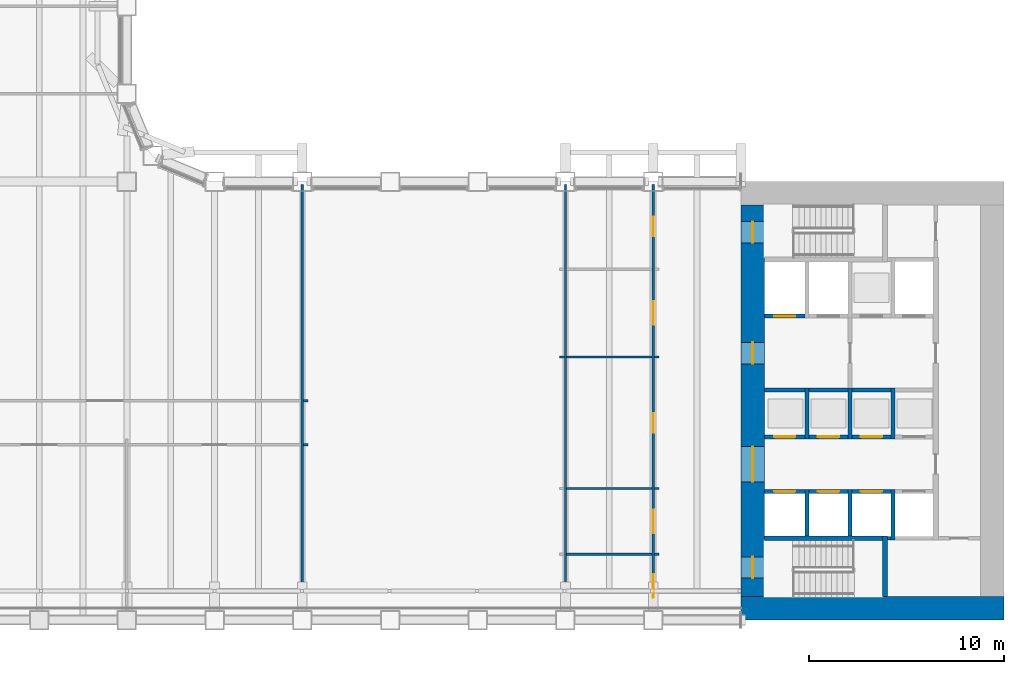
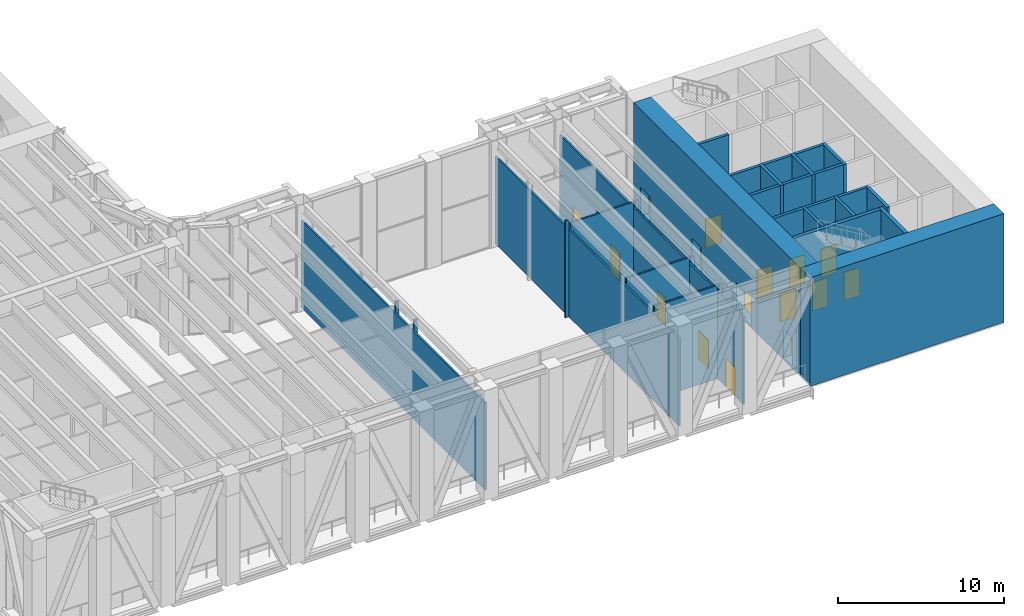
# One storey, part 10 of 21: 33 walls, 16 doors, 16 openings.
"""IFC4 building model written with IfcOpenShell, lengths in metres."""

import ifcopenshell
import ifcopenshell.guid

model = None  # the IFC model being written
_history = None  # IfcOwnerHistory: only IFC2X3 demands one
_inside = {}  # id of a spatial element -> (the spatial element, [elements in it])
_under = {}  # id of a project, library or spatial element -> (it, [spatial elements below it])
_declared = {}  # id of a project -> (the project, [libraries it declares])
_typed = {}  # id of a type object -> (the type object, [elements of that type])
_made_of = {}  # id of a material, layer set ... -> (it, [elements and type objects made of it])


def new_model(schema):
    """Start an empty IFC model of exactly this schema.

    Asked for "IFC4X3", IfcOpenShell would pick the latest addendum, in which some entities
    have other attributes; the version numbers below select the first issue.
    IFC2X3 requires an IfcOwnerHistory on every rooted entity: one is made here for all.
    """
    global model, _history
    if schema == "IFC4X3":
        model = ifcopenshell.file(schema_version=(4, 3, 0, 0))
    else:
        model = ifcopenshell.file(schema=schema)
    _inside.clear()
    _under.clear()
    _declared.clear()
    _typed.clear()
    _made_of.clear()
    _history = None
    if model.schema == "IFC2X3":
        org = make("IfcOrganization", Name="unknown")
        user = make(
            "IfcPersonAndOrganization",
            ThePerson=make("IfcPerson", FamilyName="unknown"),
            TheOrganization=org,
        )
        app = make(
            "IfcApplication",
            ApplicationDeveloper=org,
            Version="unknown",
            ApplicationFullName="unknown",
            ApplicationIdentifier="unknown",
        )
        _history = make(
            "IfcOwnerHistory",
            OwningUser=user,
            OwningApplication=app,
            ChangeAction="ADDED",
            CreationDate=0,
        )
    return model


def make(cls, **values):
    """One entity of the class cls with the attributes given. An attribute that is None is left unset."""
    return model.create_entity(
        cls, **{name: value for name, value in values.items() if value is not None}
    )


def rooted(cls, **values):
    """An entity with a GlobalId (a new one), such as an element, a storey or a relation."""
    return make(cls, GlobalId=ifcopenshell.guid.new(), OwnerHistory=_history, **values)


def si_unit(unit_type, name, prefix=None):
    """IfcSIUnit, for example si_unit("LENGTHUNIT", "METRE", prefix="MILLI")."""
    return make("IfcSIUnit", UnitType=unit_type, Prefix=prefix, Name=name)


def assignment(units):
    """IfcUnitAssignment: the units of a project."""
    return None if units is None else make("IfcUnitAssignment", Units=units)


def point(xyz):
    """IfcCartesianPoint."""
    return None if xyz is None else make("IfcCartesianPoint", Coordinates=xyz)


def direction(xyz):
    """IfcDirection."""
    return None if xyz is None else make("IfcDirection", DirectionRatios=xyz)


def frame(location, z_axis=None, x_axis=None):
    """IfcAxis2Placement3D, a coordinate frame: its origin and axes. An axis left out is left unset."""
    return make(
        "IfcAxis2Placement3D",
        Location=point(location),
        Axis=direction(z_axis),
        RefDirection=direction(x_axis),
    )


def frame_2d(location, x_axis=None):
    """IfcAxis2Placement2D, a coordinate frame in the plane: its origin and x axis."""
    return make(
        "IfcAxis2Placement2D", Location=point(location), RefDirection=direction(x_axis)
    )


def origin():
    """The frame at (0, 0, 0) with its axes left unset."""
    return frame((0.0, 0.0, 0.0))


def place(relative_to, where):
    """IfcLocalPlacement: puts the frame where relative to a parent placement (None: the world)."""
    return make(
        "IfcLocalPlacement", PlacementRelTo=relative_to, RelativePlacement=where
    )


def context(
    kind, dimensions, precision=None, world=None, true_north=None, identifier=None
):
    """IfcGeometricRepresentationContext, for example the 3D "Model" context."""
    return make(
        "IfcGeometricRepresentationContext",
        ContextIdentifier=identifier,
        ContextType=kind,
        CoordinateSpaceDimension=dimensions,
        Precision=precision,
        WorldCoordinateSystem=world,
        TrueNorth=true_north,
    )


def subcontext(parent, identifier, kind, view, scale=None):
    """IfcGeometricRepresentationSubContext, for example "Body" below "Model"."""
    return make(
        "IfcGeometricRepresentationSubContext",
        ContextIdentifier=identifier,
        ContextType=kind,
        ParentContext=parent,
        TargetScale=scale,
        TargetView=view,
    )


def project(units=None, contexts=None):
    """IfcProject with its units and contexts."""
    return rooted(
        "IfcProject",
        Name="project",
        RepresentationContexts=contexts,
        UnitsInContext=assignment(units),
    )


def spatial(cls, under=None, at=None, **own):
    """A site, building, storey or space (cls), placed at a placement, below another one or the project."""
    s = rooted(cls, ObjectPlacement=at, **own)
    if under is not None:
        _under.setdefault(under.id(), (under, []))[1].append(s)
    return s


def profile(cls, at=None, kind="AREA", **sizes):
    """A parametric profile (cls). Its sizes go by their IFC names, for example OverallWidth=200.0."""
    return make(cls, ProfileType=kind, Position=at, **sizes)


def rectangle(**sizes):
    """IfcRectangleProfileDef."""
    return profile("IfcRectangleProfileDef", **sizes)


def extrude(swept, where, along, depth):
    """IfcExtrudedAreaSolid: the profile swept, set in the frame where, extruded along a direction by depth."""
    return make(
        "IfcExtrudedAreaSolid",
        SweptArea=swept,
        Position=where,
        ExtrudedDirection=direction(along),
        Depth=depth,
    )


def shape(context_of_items, identifier, shape_type, items):
    """IfcShapeRepresentation: the items that make up one representation, for example the "Body"."""
    return make(
        "IfcShapeRepresentation",
        ContextOfItems=context_of_items,
        RepresentationIdentifier=identifier,
        RepresentationType=shape_type,
        Items=items,
    )


def material(Name=None, Category=None):
    """IfcMaterial."""
    return make("IfcMaterial", Name=Name, Category=Category)


def layer(
    of_material, thickness, ventilated=None, Name=None, Category=None, Priority=None
):
    """IfcMaterialLayer: one layer of a wall or slab, of a material (None: an air gap)."""
    return make(
        "IfcMaterialLayer",
        Material=of_material,
        LayerThickness=thickness,
        IsVentilated=ventilated,
        Name=Name,
        Category=Category,
        Priority=Priority,
    )


def layer_set(layers, Name=None):
    """IfcMaterialLayerSet."""
    return make("IfcMaterialLayerSet", MaterialLayers=layers, LayerSetName=Name)


def made_of(thing, what):
    """Note that an element or type object is made of a material, layer set ...; save() writes the relation."""
    if what is not None:
        _made_of.setdefault(what.id(), (what, []))[1].append(thing)
    return thing


def type_object(cls, material=None, **own):
    """A type object (cls), such as IfcWallType, which elements share."""
    return made_of(rooted(cls, **own), material)


def element(
    cls,
    number,
    at=None,
    inside=None,
    cuts=None,
    type_object=None,
    material=None,
    context=None,
    identifier="Body",
    shape_type=None,
    held_by="IfcProductDefinitionShape",
    body=None,
    shapes=None,
    **own,
):
    """One element of the class cls, such as IfcWall. Its Tag is "e" and its number.

    at: its placement. inside: the storey or other place that contains it. cuts: it is an
    opening in that element (IfcRelVoidsElement). A single representation is given by context,
    identifier, shape_type and body (its items); several are given by shapes. held_by: the class
    of the entity that holds the representations. save() writes the other relations.
    """
    e = rooted(cls, Tag="e%d" % number, ObjectPlacement=at, **own)
    if body is not None:
        shapes = [shape(context, identifier, shape_type, body)]
    if shapes is not None:
        e.Representation = make(held_by, Representations=shapes)
    if inside is not None:
        _inside.setdefault(inside.id(), (inside, []))[1].append(e)
    if cuts is not None:
        rooted(
            "IfcRelVoidsElement", RelatingBuildingElement=cuts, RelatedOpeningElement=e
        )
    if type_object is not None:
        _typed.setdefault(type_object.id(), (type_object, []))[1].append(e)
    return made_of(e, material)


def fill(opening, filler):
    """IfcRelFillsElement: the door or window that sits in an opening."""
    return rooted(
        "IfcRelFillsElement",
        RelatingOpeningElement=opening,
        RelatedBuildingElement=filler,
    )


def aggregate(whole, parts):
    """IfcRelAggregates: a whole, such as a stair, and the parts it consists of."""
    return rooted("IfcRelAggregates", RelatingObject=whole, RelatedObjects=parts)


def save(model, path):
    """Write the relations noted so far, then the file.

    IfcRelAggregates (storeys below a building ...), IfcRelContainedInSpatialStructure (elements
    in a storey), IfcRelDefinesByType, IfcRelAssociatesMaterial and IfcRelDeclares: one each for
    every whole, place, type object, material and project.
    """
    for whole, parts in _under.values():
        aggregate(whole, parts)
    for where, things in _inside.values():
        rooted(
            "IfcRelContainedInSpatialStructure",
            RelatedElements=things,
            RelatingStructure=where,
        )
    for kind, things in _typed.values():
        rooted("IfcRelDefinesByType", RelatedObjects=things, RelatingType=kind)
    for what, things in _made_of.values():
        rooted("IfcRelAssociatesMaterial", RelatedObjects=things, RelatingMaterial=what)
    for by, libraries in _declared.values():
        rooted("IfcRelDeclares", RelatingContext=by, RelatedDefinitions=libraries)
    model.write(path)


model = new_model("IFC4")

# Units and contexts
model_context = context("Model", 3, precision=1e-05, world=origin(), true_north=direction((0.0, 1.0)))
body_context = subcontext(model_context, "Body", "Model", "MODEL_VIEW")
ifc_project = project(units=[si_unit("LENGTHUNIT", "METRE"), si_unit("AREAUNIT", "SQUARE_METRE"), si_unit("VOLUMEUNIT", "CUBIC_METRE"), si_unit("PLANEANGLEUNIT", "RADIAN"), si_unit("MASSUNIT", "GRAM", prefix="KILO")], contexts=[model_context])

# Site, building, storey
site_placement = place(None, origin())
site = spatial("IfcSite", under=ifc_project, at=site_placement, CompositionType="ELEMENT")
building_placement = place(site_placement, origin())
building = spatial("IfcBuilding", under=site, at=building_placement, Name="Sennacour Bend Tower", CompositionType="ELEMENT")
storey_placement = place(building_placement, frame((0.0, 0.0, 131.0)))
storey = spatial("IfcBuildingStorey", under=building, at=storey_placement, Name="L30", CompositionType="ELEMENT", Elevation=131.0)

# Wall
ifc_material_1 = material(Name="Concrete C80/95", Category="concrete")
ifc_layer_1 = layer(ifc_material_1, 1.199951171875, Name="Concrete C80/95", Category="concrete")
ifc_layer_set_1 = layer_set([ifc_layer_1], Name="Concrete C80/95")
wall_type_1 = type_object("IfcWallType", Name="Core wall 1200 C80/95", PredefinedType="SHEAR", material=ifc_layer_set_1)
wall_1_placement = place(storey_placement, frame((67.5, 0.60009765625, -0.14990234375), z_axis=(0.0, 0.0, 1.0), x_axis=(-1.0, 0.0, 0.0)))
element("IfcWall", 1, at=wall_1_placement, inside=storey, type_object=wall_type_1, Name="Core A wall L30 S", PredefinedType="SHEAR", context=body_context, shape_type="SweptSolid", body=[
    extrude(rectangle(XDim=13.5, YDim=1.199951171875, at=frame_2d((6.75, 0.0))), origin(), (0.0, 0.0, 1.0), 8.0),
])

# Wall, openings, doors
wall_2_placement = place(storey_placement, frame((54.60009765625, 1.199951171875, -0.14990234375), z_axis=(0.0, 0.0, 1.0), x_axis=(0.0, 1.0, 0.0)))
wall_2 = element("IfcWall", 2, at=wall_2_placement, inside=storey, type_object=wall_type_1, Name="Core A wall L30 W", PredefinedType="SHEAR", context=body_context, shape_type="SweptSolid", body=[
    extrude(rectangle(XDim=20.10009765625, YDim=1.199951171875, at=frame_2d((10.050048828125, 0.0))), origin(), (0.0, 0.0, 1.0), 8.0),
])
opening_1_placement = place(wall_2_placement, frame((5.89990234375, 0.0, 0.14990234375)))
opening_1 = element("IfcOpeningElement", 3, at=opening_1_placement, cuts=wall_2, Name="Opening CD", PredefinedType="OPENING", context=body_context, shape_type="SweptSolid", body=[
    extrude(rectangle(XDim=1.800048828125, YDim=2.10009765625, at=frame_2d((0.89990234375, 1.050048828125))), frame((0.0, 0.60986328125, 0.0), z_axis=(0.0, -1.0, 0.0), x_axis=(1.0, 0.0, 0.0)), (0.0, 0.0, 1.0), 1.219970703125),
])
opening_2_placement = place(wall_2_placement, frame((11.949951171875, 0.0, 0.14990234375)))
opening_2 = element("IfcOpeningElement", 4, at=opening_2_placement, cuts=wall_2, Name="Opening FD", PredefinedType="OPENING", context=body_context, shape_type="SweptSolid", body=[
    extrude(rectangle(XDim=1.10009765625, YDim=2.10009765625, at=frame_2d((0.550048828125, 1.050048828125))), frame((0.0, 0.60986328125, 0.0), z_axis=(0.0, -1.0, 0.0), x_axis=(1.0, 0.0, 0.0)), (0.0, 0.0, 1.0), 1.219970703125),
])
opening_3_placement = place(wall_2_placement, frame((0.949951171875, 0.0, 0.14990234375)))
opening_3 = element("IfcOpeningElement", 5, at=opening_3_placement, cuts=wall_2, Name="Opening SD", PredefinedType="OPENING", context=body_context, shape_type="SweptSolid", body=[
    extrude(rectangle(XDim=1.10009765625, YDim=2.10009765625, at=frame_2d((0.550048828125, 1.050048828125))), frame((0.0, 0.60986328125, 0.0), z_axis=(0.0, -1.0, 0.0), x_axis=(1.0, 0.0, 0.0)), (0.0, 0.0, 1.0), 1.219970703125),
])
opening_4_placement = place(wall_2_placement, frame((18.14990234375, 0.0, 0.14990234375)))
opening_4 = element("IfcOpeningElement", 6, at=opening_4_placement, cuts=wall_2, Name="Opening SD", PredefinedType="OPENING", context=body_context, shape_type="SweptSolid", body=[
    extrude(rectangle(XDim=1.10009765625, YDim=2.10009765625, at=frame_2d((0.550048828125, 1.050048828125))), frame((0.0, 0.60986328125, 0.0), z_axis=(0.0, -1.0, 0.0), x_axis=(1.0, 0.0, 0.0)), (0.0, 0.0, 1.0), 1.219970703125),
])
ifc_material_2 = material(Name="Painted steel", Category="steel")
door_type_1 = type_object("IfcDoorType", Name="DR-FFL-1100", OperationType="NOTDEFINED", PredefinedType="DOOR", material=ifc_material_2)
door_1_placement = place(opening_2_placement, origin())
door_1 = element("IfcDoor", 7, at=door_1_placement, inside=storey, type_object=door_type_1, Name="Door", OperationType="SINGLE_SWING_RIGHT", OverallHeight=2.10009765625, OverallWidth=1.10009765625, PredefinedType="DOOR", context=body_context, shape_type="SweptSolid", body=[
    extrude(rectangle(XDim=1.10009765625, YDim=2.10009765625, at=frame_2d((0.550048828125, 1.050048828125))), frame((0.0, 0.02490234375, 0.0), z_axis=(0.0, -1.0, 0.0), x_axis=(1.0, 0.0, 0.0)), (0.0, 0.0, 1.0), 0.050048828125),
])
fill(opening_2, door_1)
door_type_2 = type_object("IfcDoorType", Name="DR-LOBBY-1800", OperationType="NOTDEFINED", PredefinedType="DOOR", material=ifc_material_2)
door_2_placement = place(opening_1_placement, origin())
door_2 = element("IfcDoor", 8, at=door_2_placement, inside=storey, type_object=door_type_2, Name="Door", OperationType="DOUBLE_DOOR_SINGLE_SWING", OverallHeight=2.10009765625, OverallWidth=1.800048828125, PredefinedType="DOOR", context=body_context, shape_type="SweptSolid", body=[
    extrude(rectangle(XDim=1.800048828125, YDim=2.10009765625, at=frame_2d((0.89990234375, 1.050048828125))), frame((0.0, 0.02490234375, 0.0), z_axis=(0.0, -1.0, 0.0), x_axis=(1.0, 0.0, 0.0)), (0.0, 0.0, 1.0), 0.050048828125),
])
fill(opening_1, door_2)
door_type_3 = type_object("IfcDoorType", Name="DR-STAIR-1100", OperationType="NOTDEFINED", PredefinedType="DOOR", material=ifc_material_2)
door_3_placement = place(opening_3_placement, origin())
door_3 = element("IfcDoor", 9, at=door_3_placement, inside=storey, type_object=door_type_3, Name="Door", OperationType="SINGLE_SWING_LEFT", OverallHeight=2.10009765625, OverallWidth=1.10009765625, PredefinedType="DOOR", context=body_context, shape_type="SweptSolid", body=[
    extrude(rectangle(XDim=1.10009765625, YDim=2.10009765625, at=frame_2d((0.550048828125, 1.050048828125))), frame((0.0, 0.02490234375, 0.0), z_axis=(0.0, -1.0, 0.0), x_axis=(1.0, 0.0, 0.0)), (0.0, 0.0, 1.0), 0.050048828125),
])
fill(opening_3, door_3)
door_4_placement = place(opening_4_placement, origin())
door_4 = element("IfcDoor", 10, at=door_4_placement, inside=storey, type_object=door_type_3, Name="Door", OperationType="SINGLE_SWING_RIGHT", OverallHeight=2.10009765625, OverallWidth=1.10009765625, PredefinedType="DOOR", context=body_context, shape_type="SweptSolid", body=[
    extrude(rectangle(XDim=1.10009765625, YDim=2.10009765625, at=frame_2d((0.550048828125, 1.050048828125))), frame((0.0, 0.02490234375, 0.0), z_axis=(0.0, -1.0, 0.0), x_axis=(1.0, 0.0, 0.0)), (0.0, 0.0, 1.0), 0.050048828125),
])
fill(opening_4, door_4)

# Walls
ifc_material_3 = material(Name="Plasterboard partition on steel studs", Category="steel")
ifc_layer_2 = layer(ifc_material_3, 0.1201171875, Name="Plasterboard partition on steel studs", Category="steel")
ifc_layer_set_2 = layer_set([ifc_layer_2], Name="Plasterboard partition on steel studs")
wall_type_2 = type_object("IfcWallType", Name="Partition 120", PredefinedType="PARTITIONING", material=ifc_layer_set_2)
for number, where, z_axis, x_axis, name in (
    (11, (31.5, 0.14990234375, 0.0), (0.0, 0.0, 1.0), (0.0, 1.0, 0.0), "P-L30-W022a"),
    (12, (45.0, 0.14990234375, 0.0), (0.0, 0.0, 1.0), (0.0, 1.0, 0.0), "P-L30-W023a"),
):
    element("IfcWall", number, at=place(storey_placement, frame(where, z_axis=z_axis, x_axis=x_axis)), inside=storey, type_object=wall_type_2, Name=name, PredefinedType="PARTITIONING", context=body_context, shape_type="SweptSolid", body=[
        extrude(rectangle(XDim=22.2001953125, YDim=0.1201171875, at=frame_2d((11.10009765625, 0.0))), origin(), (0.0, 0.0, 1.0), 6.449951171875),
    ])
wall_3_placement = place(storey_placement, frame((45.06005859375, 3.375, 0.0), z_axis=(0.0, 0.0, 1.0), x_axis=(1.0, 0.0, 0.0)))
element("IfcWall", 13, at=wall_3_placement, inside=storey, type_object=wall_type_2, Name="P-L30-W042ab", PredefinedType="PARTITIONING", context=body_context, shape_type="SweptSolid", body=[
    extrude(rectangle(XDim=4.3798828125, YDim=0.1201171875, at=frame_2d((2.18994140625, 0.0))), origin(), (0.0, 0.0, 1.0), 6.8701171875),
])
wall_4_placement = place(storey_placement, frame((49.56005859375, 3.375, 0.0), z_axis=(0.0, 0.0, 1.0), x_axis=(1.0, 0.0, 0.0)))
element("IfcWall", 14, at=wall_4_placement, inside=storey, type_object=wall_type_2, Name="P-L30-W042ac", PredefinedType="PARTITIONING", context=body_context, shape_type="SweptSolid", body=[
    extrude(rectangle(XDim=0.239990234375, YDim=0.1201171875, at=frame_2d((0.1201171875, 0.0))), origin(), (0.0, 0.0, 1.0), 6.8701171875),
])
wall_5_placement = place(storey_placement, frame((45.06005859375, 6.75, 0.0), z_axis=(0.0, 0.0, 1.0), x_axis=(1.0, 0.0, 0.0)))
element("IfcWall", 15, at=wall_5_placement, inside=storey, type_object=wall_type_2, Name="P-L30-W049ab", PredefinedType="PARTITIONING", context=body_context, shape_type="SweptSolid", body=[
    extrude(rectangle(XDim=4.3798828125, YDim=0.1201171875, at=frame_2d((2.18994140625, 0.0))), origin(), (0.0, 0.0, 1.0), 6.8701171875),
])
wall_6_placement = place(storey_placement, frame((49.56005859375, 6.75, 0.0), z_axis=(0.0, 0.0, 1.0), x_axis=(1.0, 0.0, 0.0)))
element("IfcWall", 16, at=wall_6_placement, inside=storey, type_object=wall_type_2, Name="P-L30-W049ac", PredefinedType="PARTITIONING", context=body_context, shape_type="SweptSolid", body=[
    extrude(rectangle(XDim=0.239990234375, YDim=0.1201171875, at=frame_2d((0.1201171875, 0.0))), origin(), (0.0, 0.0, 1.0), 6.8701171875),
])
for number, where, z_axis, x_axis, name in (
    (17, (31.56005859375, 9.0, 0.0), (0.0, 0.0, 1.0), (1.0, 0.0, 0.0), "P-L30-W050ae"),
    (18, (31.56005859375, 11.25, 0.0), (0.0, 0.0, 1.0), (1.0, 0.0, 0.0), "P-L30-W052ad"),
    (19, (44.699951171875, 13.5, 0.0), (0.0, 0.0, 1.0), (1.0, 0.0, 0.0), "P-L30-W054aa"),
):
    element("IfcWall", number, at=place(storey_placement, frame(where, z_axis=z_axis, x_axis=x_axis)), inside=storey, type_object=wall_type_2, Name=name, PredefinedType="PARTITIONING", context=body_context, shape_type="SweptSolid", body=[
        extrude(rectangle(XDim=0.239990234375, YDim=0.1201171875, at=frame_2d((0.1201171875, 0.0))), origin(), (0.0, 0.0, 1.0), 7.14892578125),
    ])
wall_7_placement = place(storey_placement, frame((45.06005859375, 13.5, 0.0), z_axis=(0.0, 0.0, 1.0), x_axis=(1.0, 0.0, 0.0)))
element("IfcWall", 20, at=wall_7_placement, inside=storey, type_object=wall_type_2, Name="P-L30-W054ab", PredefinedType="PARTITIONING", context=body_context, shape_type="SweptSolid", body=[
    extrude(rectangle(XDim=4.3798828125, YDim=0.1201171875, at=frame_2d((2.18994140625, 0.0))), origin(), (0.0, 0.0, 1.0), 6.8701171875),
])
wall_8_placement = place(storey_placement, frame((49.56005859375, 13.5, 0.0), z_axis=(0.0, 0.0, 1.0), x_axis=(1.0, 0.0, 0.0)))
element("IfcWall", 21, at=wall_8_placement, inside=storey, type_object=wall_type_2, Name="P-L30-W054ac", PredefinedType="PARTITIONING", context=body_context, shape_type="SweptSolid", body=[
    extrude(rectangle(XDim=0.239990234375, YDim=0.1201171875, at=frame_2d((0.1201171875, 0.0))), origin(), (0.0, 0.0, 1.0), 6.8701171875),
])

# Wall, openings, doors
ifc_layer_3 = layer(ifc_material_3, 0.1201171875, Name="Plasterboard partition on steel studs", Category="steel")
ifc_layer_set_3 = layer_set([ifc_layer_3], Name="Plasterboard partition on steel studs")
wall_type_3 = type_object("IfcWallType", Name="Partition 120 EI 60", PredefinedType="PARTITIONING", material=ifc_layer_set_3)
wall_9_placement = place(storey_placement, frame((49.5, 0.14990234375, 0.0), z_axis=(0.0, 0.0, 1.0), x_axis=(0.0, 1.0, 0.0)))
wall_9 = element("IfcWall", 22, at=wall_9_placement, inside=storey, type_object=wall_type_3, Name="P-L30-W024a", PredefinedType="PARTITIONING", context=body_context, shape_type="SweptSolid", body=[
    extrude(rectangle(XDim=22.2001953125, YDim=0.1201171875, at=frame_2d((11.10009765625, 0.0))), origin(), (0.0, 0.0, 1.0), 6.449951171875),
])
opening_5_placement = place(wall_9_placement, frame((0.99267578125, 0.0, 0.0)))
opening_5 = element("IfcOpeningElement", 23, at=opening_5_placement, cuts=wall_9, Name="Opening CD3", PredefinedType="OPENING", context=body_context, shape_type="SweptSolid", body=[
    extrude(rectangle(XDim=1.199951171875, YDim=2.10009765625, at=frame_2d((0.60009765625, 1.050048828125))), frame((0.0, 0.070068359375, 0.0), z_axis=(0.0, -1.0, 0.0), x_axis=(1.0, 0.0, 0.0)), (0.0, 0.0, 1.0), 0.14013671875),
])
opening_6_placement = place(wall_9_placement, frame((4.3125, 0.0, 0.0)))
opening_6 = element("IfcOpeningElement", 24, at=opening_6_placement, cuts=wall_9, Name="Opening CD3", PredefinedType="OPENING", context=body_context, shape_type="SweptSolid", body=[
    extrude(rectangle(XDim=1.199951171875, YDim=2.10009765625, at=frame_2d((0.60009765625, 1.050048828125))), frame((0.0, 0.070068359375, 0.0), z_axis=(0.0, -1.0, 0.0), x_axis=(1.0, 0.0, 0.0)), (0.0, 0.0, 1.0), 0.14013671875),
])
opening_7_placement = place(wall_9_placement, frame((9.47509765625, 0.0, 0.0)))
opening_7 = element("IfcOpeningElement", 25, at=opening_7_placement, cuts=wall_9, Name="Opening PD2", PredefinedType="OPENING", context=body_context, shape_type="SweptSolid", body=[
    extrude(rectangle(XDim=1.0, YDim=2.10009765625, at=frame_2d((0.5, 1.050048828125))), frame((0.0, 0.070068359375, 0.0), z_axis=(0.0, -1.0, 0.0), x_axis=(1.0, 0.0, 0.0)), (0.0, 0.0, 1.0), 0.14013671875),
])
opening_8_placement = place(wall_9_placement, frame((15.0, 0.0, 0.0)))
opening_8 = element("IfcOpeningElement", 26, at=opening_8_placement, cuts=wall_9, Name="Opening PD", PredefinedType="OPENING", context=body_context, shape_type="SweptSolid", body=[
    extrude(rectangle(XDim=1.199951171875, YDim=2.10009765625, at=frame_2d((0.60009765625, 1.050048828125))), frame((0.0, 0.070068359375, 0.0), z_axis=(0.0, -1.0, 0.0), x_axis=(1.0, 0.0, 0.0)), (0.0, 0.0, 1.0), 0.14013671875),
])
opening_9_placement = place(wall_9_placement, frame((19.545166015625, 0.0, 0.0)))
opening_9 = element("IfcOpeningElement", 27, at=opening_9_placement, cuts=wall_9, Name="Opening PD2", PredefinedType="OPENING", context=body_context, shape_type="SweptSolid", body=[
    extrude(rectangle(XDim=1.0, YDim=2.10009765625, at=frame_2d((0.5, 1.050048828125))), frame((0.0, 0.070068359375, 0.0), z_axis=(0.0, -1.0, 0.0), x_axis=(1.0, 0.0, 0.0)), (0.0, 0.0, 1.0), 0.14013671875),
])
door_type_4 = type_object("IfcDoorType", Name="DR-LOBBY-1200", OperationType="NOTDEFINED", PredefinedType="DOOR", material=ifc_material_2)
door_5_placement = place(opening_5_placement, origin())
door_5 = element("IfcDoor", 28, at=door_5_placement, inside=storey, type_object=door_type_4, Name="Door", OperationType="SINGLE_SWING_LEFT", OverallHeight=2.10009765625, OverallWidth=1.199951171875, PredefinedType="DOOR", context=body_context, shape_type="SweptSolid", body=[
    extrude(rectangle(XDim=1.199951171875, YDim=2.10009765625, at=frame_2d((0.60009765625, 1.050048828125))), frame((0.0, 0.02490234375, 0.0), z_axis=(0.0, -1.0, 0.0), x_axis=(1.0, 0.0, 0.0)), (0.0, 0.0, 1.0), 0.050048828125),
])
fill(opening_5, door_5)
door_6_placement = place(opening_6_placement, origin())
door_6 = element("IfcDoor", 29, at=door_6_placement, inside=storey, type_object=door_type_4, Name="Door", OperationType="SINGLE_SWING_LEFT", OverallHeight=2.10009765625, OverallWidth=1.199951171875, PredefinedType="DOOR", context=body_context, shape_type="SweptSolid", body=[
    extrude(rectangle(XDim=1.199951171875, YDim=2.10009765625, at=frame_2d((0.60009765625, 1.050048828125))), frame((0.0, 0.02490234375, 0.0), z_axis=(0.0, -1.0, 0.0), x_axis=(1.0, 0.0, 0.0)), (0.0, 0.0, 1.0), 0.050048828125),
])
fill(opening_6, door_6)
door_type_5 = type_object("IfcDoorType", Name="DR-PLANT-1000", OperationType="NOTDEFINED", PredefinedType="DOOR", material=ifc_material_2)
door_7_placement = place(opening_7_placement, origin())
door_7 = element("IfcDoor", 30, at=door_7_placement, inside=storey, type_object=door_type_5, Name="Door", OperationType="SINGLE_SWING_LEFT", OverallHeight=2.10009765625, OverallWidth=1.0, PredefinedType="DOOR", context=body_context, shape_type="SweptSolid", body=[
    extrude(rectangle(XDim=1.0, YDim=2.10009765625, at=frame_2d((0.5, 1.050048828125))), frame((0.0, 0.02490234375, 0.0), z_axis=(0.0, -1.0, 0.0), x_axis=(1.0, 0.0, 0.0)), (0.0, 0.0, 1.0), 0.050048828125),
])
fill(opening_7, door_7)
door_8_placement = place(opening_9_placement, origin())
door_8 = element("IfcDoor", 31, at=door_8_placement, inside=storey, type_object=door_type_5, Name="Door", OperationType="SINGLE_SWING_RIGHT", OverallHeight=2.10009765625, OverallWidth=1.0, PredefinedType="DOOR", context=body_context, shape_type="SweptSolid", body=[
    extrude(rectangle(XDim=1.0, YDim=2.10009765625, at=frame_2d((0.5, 1.050048828125))), frame((0.0, 0.02490234375, 0.0), z_axis=(0.0, -1.0, 0.0), x_axis=(1.0, 0.0, 0.0)), (0.0, 0.0, 1.0), 0.050048828125),
])
fill(opening_9, door_8)
door_type_6 = type_object("IfcDoorType", Name="DR-PLANT-1200", OperationType="NOTDEFINED", PredefinedType="DOOR", material=ifc_material_2)
door_9_placement = place(opening_8_placement, origin())
door_9 = element("IfcDoor", 32, at=door_9_placement, inside=storey, type_object=door_type_6, Name="Door", OperationType="SINGLE_SWING_RIGHT", OverallHeight=2.10009765625, OverallWidth=1.199951171875, PredefinedType="DOOR", context=body_context, shape_type="SweptSolid", body=[
    extrude(rectangle(XDim=1.199951171875, YDim=2.10009765625, at=frame_2d((0.60009765625, 1.050048828125))), frame((0.0, 0.02490234375, 0.0), z_axis=(0.0, -1.0, 0.0), x_axis=(1.0, 0.0, 0.0)), (0.0, 0.0, 1.0), 0.050048828125),
])
fill(opening_8, door_9)

# Walls
ifc_material_4 = material(Name="Concrete C50/60", Category="concrete")
ifc_layer_4 = layer(ifc_material_4, 0.199951171875, Name="Concrete C50/60", Category="concrete")
ifc_layer_set_4 = layer_set([ifc_layer_4], Name="Concrete C50/60")
wall_type_4 = type_object("IfcWallType", Name="Shaft wall 200", PredefinedType="SOLIDWALL", material=ifc_layer_set_4)
wall_10_placement = place(storey_placement, frame((57.39990234375, 4.324951171875, 0.0), z_axis=(0.0, 0.0, 1.0), x_axis=(0.0, 1.0, 0.0)))
element("IfcWall", 33, at=wall_10_placement, inside=storey, type_object=wall_type_4, Name="P-L30-W025", PredefinedType="SOLIDWALL", context=body_context, shape_type="SweptSolid", body=[
    extrude(rectangle(XDim=2.375, YDim=0.199951171875, at=frame_2d((1.1875, 0.0))), origin(), (0.0, 0.0, 1.0), 7.85009765625),
])
wall_11_placement = place(storey_placement, frame((57.39990234375, 9.300048828125, 0.0), z_axis=(0.0, 0.0, 1.0), x_axis=(0.0, 1.0, 0.0)))
element("IfcWall", 34, at=wall_11_placement, inside=storey, type_object=wall_type_4, Name="P-L30-W026", PredefinedType="SOLIDWALL", context=body_context, shape_type="SweptSolid", body=[
    extrude(rectangle(XDim=2.599853515625, YDim=0.199951171875, at=frame_2d((1.2998046875, 0.0))), origin(), (0.0, 0.0, 1.0), 7.85009765625),
])
wall_12_placement = place(storey_placement, frame((59.60009765625, 4.324951171875, 0.0), z_axis=(0.0, 0.0, 1.0), x_axis=(0.0, 1.0, 0.0)))
element("IfcWall", 35, at=wall_12_placement, inside=storey, type_object=wall_type_4, Name="P-L30-W028", PredefinedType="SOLIDWALL", context=body_context, shape_type="SweptSolid", body=[
    extrude(rectangle(XDim=2.375, YDim=0.199951171875, at=frame_2d((1.1875, 0.0))), origin(), (0.0, 0.0, 1.0), 7.85009765625),
])
for number, where, z_axis, x_axis, name in (
    (36, (59.60009765625, 9.300048828125, 0.0), (0.0, 0.0, 1.0), (0.0, 1.0, 0.0), "P-L30-W029"),
    (37, (61.800048828125, 4.10009765625, 0.0), (0.0, 0.0, 1.0), (0.0, 1.0, 0.0), "P-L30-W034"),
    (38, (61.800048828125, 9.300048828125, 0.0), (0.0, 0.0, 1.0), (0.0, 1.0, 0.0), "P-L30-W035"),
):
    element("IfcWall", number, at=place(storey_placement, frame(where, z_axis=z_axis, x_axis=x_axis)), inside=storey, type_object=wall_type_4, Name=name, PredefinedType="SOLIDWALL", context=body_context, shape_type="SweptSolid", body=[
        extrude(rectangle(XDim=2.599853515625, YDim=0.199951171875, at=frame_2d((1.2998046875, 0.0))), origin(), (0.0, 0.0, 1.0), 7.85009765625),
    ])
wall_13_placement = place(storey_placement, frame((61.52490234375, 4.199951171875, 0.0), z_axis=(0.0, 0.0, 1.0), x_axis=(1.0, 0.0, 0.0)))
element("IfcWall", 39, at=wall_13_placement, inside=storey, type_object=wall_type_4, Name="P-L30-W046a", PredefinedType="SOLIDWALL", context=body_context, shape_type="SweptSolid", body=[
    extrude(rectangle(XDim=0.175048828125, YDim=0.199951171875, at=frame_2d((0.08740234375, 0.0))), origin(), (0.0, 0.0, 1.0), 7.85009765625),
])

# Wall, opening, door
wall_14_placement = place(storey_placement, frame((55.199951171875, 6.60009765625, 0.0), z_axis=(0.0, 0.0, 1.0), x_axis=(1.0, 0.0, 0.0)))
wall_14 = element("IfcWall", 40, at=wall_14_placement, inside=storey, type_object=wall_type_4, Name="P-L30-W048a", PredefinedType="SOLIDWALL", context=body_context, shape_type="SweptSolid", body=[
    extrude(rectangle(XDim=2.10009765625, YDim=0.199951171875, at=frame_2d((1.050048828125, 0.0))), origin(), (0.0, 0.0, 1.0), 7.85009765625),
])
opening_10_placement = place(wall_14_placement, frame((0.5, 0.0, 0.011962890625)))
opening_10 = element("IfcOpeningElement", 41, at=opening_10_placement, cuts=wall_14, Name="Opening LD", PredefinedType="OPENING", context=body_context, shape_type="SweptSolid", body=[
    extrude(rectangle(XDim=1.10009765625, YDim=2.10009765625, at=frame_2d((0.550048828125, 1.050048828125))), frame((0.0, 0.10986328125, 0.0), z_axis=(0.0, -1.0, 0.0), x_axis=(1.0, 0.0, 0.0)), (0.0, 0.0, 1.0), 0.219970703125),
])
ifc_material_5 = material(Name="Stainless steel", Category="steel")
door_type_7 = type_object("IfcDoorType", Name="DR-LANDING-1100", OperationType="NOTDEFINED", PredefinedType="DOOR", material=ifc_material_5)
door_10_placement = place(opening_10_placement, origin())
door_10 = element("IfcDoor", 42, at=door_10_placement, inside=storey, type_object=door_type_7, Name="Lift landing door LA1", OperationType="SLIDING_TO_LEFT", OverallHeight=2.10009765625, OverallWidth=1.10009765625, PredefinedType="DOOR", context=body_context, shape_type="SweptSolid", body=[
    extrude(rectangle(XDim=1.10009765625, YDim=2.10009765625, at=frame_2d((0.550048828125, 1.050048828125))), frame((0.0, 0.02490234375, 0.0), z_axis=(0.0, -1.0, 0.0), x_axis=(1.0, 0.0, 0.0)), (0.0, 0.0, 1.0), 0.050048828125),
])
fill(opening_10, door_10)

wall_15_placement = place(storey_placement, frame((57.5, 6.60009765625, 0.0), z_axis=(0.0, 0.0, 1.0), x_axis=(1.0, 0.0, 0.0)))
wall_15 = element("IfcWall", 43, at=wall_15_placement, inside=storey, type_object=wall_type_4, Name="P-L30-W048b", PredefinedType="SOLIDWALL", context=body_context, shape_type="SweptSolid", body=[
    extrude(rectangle(XDim=2.0, YDim=0.199951171875, at=frame_2d((1.0, 0.0))), origin(), (0.0, 0.0, 1.0), 7.85009765625),
])
opening_11_placement = place(wall_15_placement, frame((0.449951171875, 0.0, 0.011962890625)))
opening_11 = element("IfcOpeningElement", 44, at=opening_11_placement, cuts=wall_15, Name="Opening LD", PredefinedType="OPENING", context=body_context, shape_type="SweptSolid", body=[
    extrude(rectangle(XDim=1.10009765625, YDim=2.10009765625, at=frame_2d((0.550048828125, 1.050048828125))), frame((0.0, 0.10986328125, 0.0), z_axis=(0.0, -1.0, 0.0), x_axis=(1.0, 0.0, 0.0)), (0.0, 0.0, 1.0), 0.219970703125),
])
door_11_placement = place(opening_11_placement, origin())
door_11 = element("IfcDoor", 45, at=door_11_placement, inside=storey, type_object=door_type_7, Name="Lift landing door LA2", OperationType="SLIDING_TO_RIGHT", OverallHeight=2.10009765625, OverallWidth=1.10009765625, PredefinedType="DOOR", context=body_context, shape_type="SweptSolid", body=[
    extrude(rectangle(XDim=1.10009765625, YDim=2.10009765625, at=frame_2d((0.550048828125, 1.050048828125))), frame((0.0, 0.02490234375, 0.0), z_axis=(0.0, -1.0, 0.0), x_axis=(1.0, 0.0, 0.0)), (0.0, 0.0, 1.0), 0.050048828125),
])
fill(opening_11, door_11)

wall_16_placement = place(storey_placement, frame((59.699951171875, 6.60009765625, 0.0), z_axis=(0.0, 0.0, 1.0), x_axis=(1.0, 0.0, 0.0)))
wall_16 = element("IfcWall", 46, at=wall_16_placement, inside=storey, type_object=wall_type_4, Name="P-L30-W048c", PredefinedType="SOLIDWALL", context=body_context, shape_type="SweptSolid", body=[
    extrude(rectangle(XDim=2.0, YDim=0.199951171875, at=frame_2d((1.0, 0.0))), origin(), (0.0, 0.0, 1.0), 7.85009765625),
])
opening_12_placement = place(wall_16_placement, frame((0.449951171875, 0.0, 0.011962890625)))
opening_12 = element("IfcOpeningElement", 47, at=opening_12_placement, cuts=wall_16, Name="Opening LD", PredefinedType="OPENING", context=body_context, shape_type="SweptSolid", body=[
    extrude(rectangle(XDim=1.10009765625, YDim=2.10009765625, at=frame_2d((0.550048828125, 1.050048828125))), frame((0.0, 0.10986328125, 0.0), z_axis=(0.0, -1.0, 0.0), x_axis=(1.0, 0.0, 0.0)), (0.0, 0.0, 1.0), 0.219970703125),
])
door_12_placement = place(opening_12_placement, origin())
door_12 = element("IfcDoor", 48, at=door_12_placement, inside=storey, type_object=door_type_7, Name="Lift landing door LA3", OperationType="SLIDING_TO_LEFT", OverallHeight=2.10009765625, OverallWidth=1.10009765625, PredefinedType="DOOR", context=body_context, shape_type="SweptSolid", body=[
    extrude(rectangle(XDim=1.10009765625, YDim=2.10009765625, at=frame_2d((0.550048828125, 1.050048828125))), frame((0.0, 0.02490234375, 0.0), z_axis=(0.0, -1.0, 0.0), x_axis=(1.0, 0.0, 0.0)), (0.0, 0.0, 1.0), 0.050048828125),
])
fill(opening_12, door_12)

wall_17_placement = place(storey_placement, frame((55.199951171875, 9.39990234375, 0.0), z_axis=(0.0, 0.0, 1.0), x_axis=(1.0, 0.0, 0.0)))
wall_17 = element("IfcWall", 49, at=wall_17_placement, inside=storey, type_object=wall_type_4, Name="P-L30-W051a", PredefinedType="SOLIDWALL", context=body_context, shape_type="SweptSolid", body=[
    extrude(rectangle(XDim=2.10009765625, YDim=0.199951171875, at=frame_2d((1.050048828125, 0.0))), origin(), (0.0, 0.0, 1.0), 7.85009765625),
])
opening_13_placement = place(wall_17_placement, frame((0.5, 0.0, 0.011962890625)))
opening_13 = element("IfcOpeningElement", 50, at=opening_13_placement, cuts=wall_17, Name="Opening LD", PredefinedType="OPENING", context=body_context, shape_type="SweptSolid", body=[
    extrude(rectangle(XDim=1.10009765625, YDim=2.10009765625, at=frame_2d((0.550048828125, 1.050048828125))), frame((0.0, 0.10986328125, 0.0), z_axis=(0.0, -1.0, 0.0), x_axis=(1.0, 0.0, 0.0)), (0.0, 0.0, 1.0), 0.219970703125),
])
door_13_placement = place(opening_13_placement, origin())
door_13 = element("IfcDoor", 51, at=door_13_placement, inside=storey, type_object=door_type_7, Name="Lift landing door HA1", OperationType="SLIDING_TO_LEFT", OverallHeight=2.10009765625, OverallWidth=1.10009765625, PredefinedType="DOOR", context=body_context, shape_type="SweptSolid", body=[
    extrude(rectangle(XDim=1.10009765625, YDim=2.10009765625, at=frame_2d((0.550048828125, 1.050048828125))), frame((0.0, 0.02490234375, 0.0), z_axis=(0.0, -1.0, 0.0), x_axis=(1.0, 0.0, 0.0)), (0.0, 0.0, 1.0), 0.050048828125),
])
fill(opening_13, door_13)

wall_18_placement = place(storey_placement, frame((57.5, 9.39990234375, 0.0), z_axis=(0.0, 0.0, 1.0), x_axis=(1.0, 0.0, 0.0)))
wall_18 = element("IfcWall", 52, at=wall_18_placement, inside=storey, type_object=wall_type_4, Name="P-L30-W051b", PredefinedType="SOLIDWALL", context=body_context, shape_type="SweptSolid", body=[
    extrude(rectangle(XDim=2.0, YDim=0.199951171875, at=frame_2d((1.0, 0.0))), origin(), (0.0, 0.0, 1.0), 7.85009765625),
])
opening_14_placement = place(wall_18_placement, frame((0.449951171875, 0.0, 0.011962890625)))
opening_14 = element("IfcOpeningElement", 53, at=opening_14_placement, cuts=wall_18, Name="Opening LD", PredefinedType="OPENING", context=body_context, shape_type="SweptSolid", body=[
    extrude(rectangle(XDim=1.10009765625, YDim=2.10009765625, at=frame_2d((0.550048828125, 1.050048828125))), frame((0.0, 0.10986328125, 0.0), z_axis=(0.0, -1.0, 0.0), x_axis=(1.0, 0.0, 0.0)), (0.0, 0.0, 1.0), 0.219970703125),
])
door_14_placement = place(opening_14_placement, origin())
door_14 = element("IfcDoor", 54, at=door_14_placement, inside=storey, type_object=door_type_7, Name="Lift landing door HA2", OperationType="SLIDING_TO_RIGHT", OverallHeight=2.10009765625, OverallWidth=1.10009765625, PredefinedType="DOOR", context=body_context, shape_type="SweptSolid", body=[
    extrude(rectangle(XDim=1.10009765625, YDim=2.10009765625, at=frame_2d((0.550048828125, 1.050048828125))), frame((0.0, 0.02490234375, 0.0), z_axis=(0.0, -1.0, 0.0), x_axis=(1.0, 0.0, 0.0)), (0.0, 0.0, 1.0), 0.050048828125),
])
fill(opening_14, door_14)

wall_19_placement = place(storey_placement, frame((59.699951171875, 9.39990234375, 0.0), z_axis=(0.0, 0.0, 1.0), x_axis=(1.0, 0.0, 0.0)))
wall_19 = element("IfcWall", 55, at=wall_19_placement, inside=storey, type_object=wall_type_4, Name="P-L30-W051c", PredefinedType="SOLIDWALL", context=body_context, shape_type="SweptSolid", body=[
    extrude(rectangle(XDim=2.0, YDim=0.199951171875, at=frame_2d((1.0, 0.0))), origin(), (0.0, 0.0, 1.0), 7.85009765625),
])
opening_15_placement = place(wall_19_placement, frame((0.449951171875, 0.0, 0.011962890625)))
opening_15 = element("IfcOpeningElement", 56, at=opening_15_placement, cuts=wall_19, Name="Opening LD", PredefinedType="OPENING", context=body_context, shape_type="SweptSolid", body=[
    extrude(rectangle(XDim=1.10009765625, YDim=2.10009765625, at=frame_2d((0.550048828125, 1.050048828125))), frame((0.0, 0.10986328125, 0.0), z_axis=(0.0, -1.0, 0.0), x_axis=(1.0, 0.0, 0.0)), (0.0, 0.0, 1.0), 0.219970703125),
])
door_15_placement = place(opening_15_placement, origin())
door_15 = element("IfcDoor", 57, at=door_15_placement, inside=storey, type_object=door_type_7, Name="Lift landing door HA3", OperationType="SLIDING_TO_LEFT", OverallHeight=2.10009765625, OverallWidth=1.10009765625, PredefinedType="DOOR", context=body_context, shape_type="SweptSolid", body=[
    extrude(rectangle(XDim=1.10009765625, YDim=2.10009765625, at=frame_2d((0.550048828125, 1.050048828125))), frame((0.0, 0.02490234375, 0.0), z_axis=(0.0, -1.0, 0.0), x_axis=(1.0, 0.0, 0.0)), (0.0, 0.0, 1.0), 0.050048828125),
])
fill(opening_15, door_15)

# Walls
wall_20_placement = place(storey_placement, frame((55.199951171875, 11.800048828125, 0.0), z_axis=(0.0, 0.0, 1.0), x_axis=(1.0, 0.0, 0.0)))
element("IfcWall", 58, at=wall_20_placement, inside=storey, type_object=wall_type_4, Name="P-L30-W053a", PredefinedType="SOLIDWALL", context=body_context, shape_type="SweptSolid", body=[
    extrude(rectangle(XDim=2.10009765625, YDim=0.199951171875, at=frame_2d((1.050048828125, 0.0))), origin(), (0.0, 0.0, 1.0), 7.85009765625),
])
for number, where, z_axis, x_axis, name in (
    (59, (57.5, 11.800048828125, 0.0), (0.0, 0.0, 1.0), (1.0, 0.0, 0.0), "P-L30-W053b"),
    (60, (59.699951171875, 11.800048828125, 0.0), (0.0, 0.0, 1.0), (1.0, 0.0, 0.0), "P-L30-W053c"),
):
    element("IfcWall", number, at=place(storey_placement, frame(where, z_axis=z_axis, x_axis=x_axis)), inside=storey, type_object=wall_type_4, Name=name, PredefinedType="SOLIDWALL", context=body_context, shape_type="SweptSolid", body=[
        extrude(rectangle(XDim=2.0, YDim=0.199951171875, at=frame_2d((1.0, 0.0))), origin(), (0.0, 0.0, 1.0), 7.85009765625),
    ])

# Wall, opening, door
wall_21_placement = place(storey_placement, frame((55.199951171875, 15.60009765625, 0.0), z_axis=(0.0, 0.0, 1.0), x_axis=(1.0, 0.0, 0.0)))
wall_21 = element("IfcWall", 61, at=wall_21_placement, inside=storey, type_object=wall_type_4, Name="P-L30-W055a", PredefinedType="SOLIDWALL", context=body_context, shape_type="SweptSolid", body=[
    extrude(rectangle(XDim=2.10009765625, YDim=0.199951171875, at=frame_2d((1.050048828125, 0.0))), origin(), (0.0, 0.0, 1.0), 7.85009765625),
])
opening_16_placement = place(wall_21_placement, frame((0.5, 0.0, 0.011962890625)))
opening_16 = element("IfcOpeningElement", 62, at=opening_16_placement, cuts=wall_21, Name="Opening FLD", PredefinedType="OPENING", context=body_context, shape_type="SweptSolid", body=[
    extrude(rectangle(XDim=1.10009765625, YDim=2.10009765625, at=frame_2d((0.550048828125, 1.050048828125))), frame((0.0, 0.10986328125, 0.0), z_axis=(0.0, -1.0, 0.0), x_axis=(1.0, 0.0, 0.0)), (0.0, 0.0, 1.0), 0.219970703125),
])
door_type_8 = type_object("IfcDoorType", Name="DR-FF-LANDING-1100", OperationType="NOTDEFINED", PredefinedType="DOOR", material=ifc_material_5)
door_16_placement = place(opening_16_placement, origin())
door_16 = element("IfcDoor", 63, at=door_16_placement, inside=storey, type_object=door_type_8, Name="Fire service lift landing door FA1", OperationType="SLIDING_TO_LEFT", OverallHeight=2.10009765625, OverallWidth=1.10009765625, PredefinedType="DOOR", context=body_context, shape_type="SweptSolid", body=[
    extrude(rectangle(XDim=1.10009765625, YDim=2.10009765625, at=frame_2d((0.550048828125, 1.050048828125))), frame((0.0, 0.02490234375, 0.0), z_axis=(0.0, -1.0, 0.0), x_axis=(1.0, 0.0, 0.0)), (0.0, 0.0, 1.0), 0.050048828125),
])
fill(opening_16, door_16)

# Walls
ifc_material_6 = material(Name="Concrete C60/75", Category="concrete")
ifc_layer_5 = layer(ifc_material_6, 0.25, Name="Concrete C60/75", Category="concrete")
ifc_layer_set_5 = layer_set([ifc_layer_5], Name="Concrete C60/75")
wall_type_5 = type_object("IfcWallType", Name="Stair wall 250", PredefinedType="SHEAR", material=ifc_layer_set_5)
wall_22_placement = place(storey_placement, frame((61.39990234375, 1.199951171875, 0.0), z_axis=(0.0, 0.0, 1.0), x_axis=(0.0, 1.0, 0.0)))
element("IfcWall", 64, at=wall_22_placement, inside=storey, type_object=wall_type_5, Name="P-L30-W032", PredefinedType="SHEAR", context=body_context, shape_type="SweptSolid", body=[
    extrude(rectangle(XDim=3.125, YDim=0.25, at=frame_2d((1.5625, 0.0))), origin(), (0.0, 0.0, 1.0), 7.85009765625),
])
wall_23_placement = place(storey_placement, frame((55.199951171875, 4.199951171875, 0.0), z_axis=(0.0, 0.0, 1.0), x_axis=(1.0, 0.0, 0.0)))
element("IfcWall", 65, at=wall_23_placement, inside=storey, type_object=wall_type_5, Name="P-L30-W045", PredefinedType="SHEAR", context=body_context, shape_type="SweptSolid", body=[
    extrude(rectangle(XDim=6.074951171875, YDim=0.25, at=frame_2d((3.03759765625, 0.0))), origin(), (0.0, 0.0, 1.0), 7.85009765625),
])

save(model, "model.ifc")
